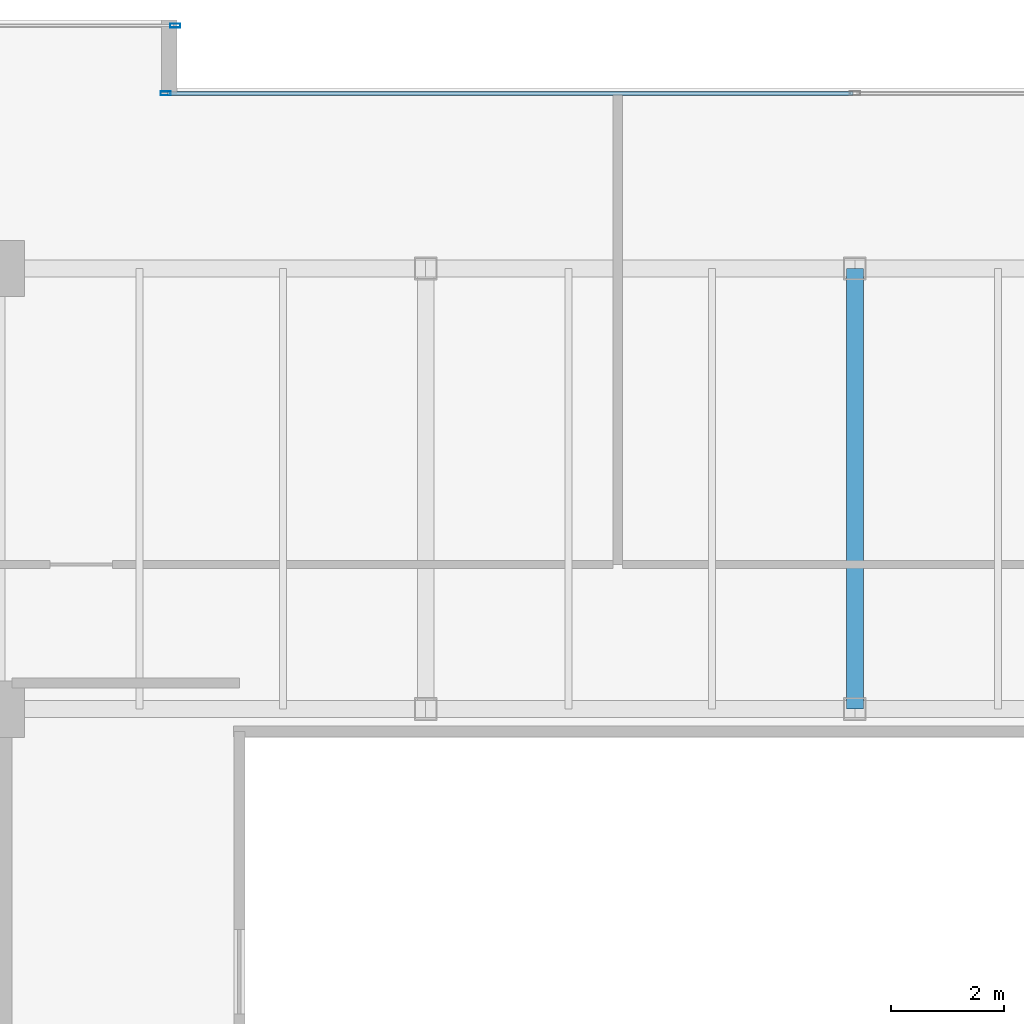
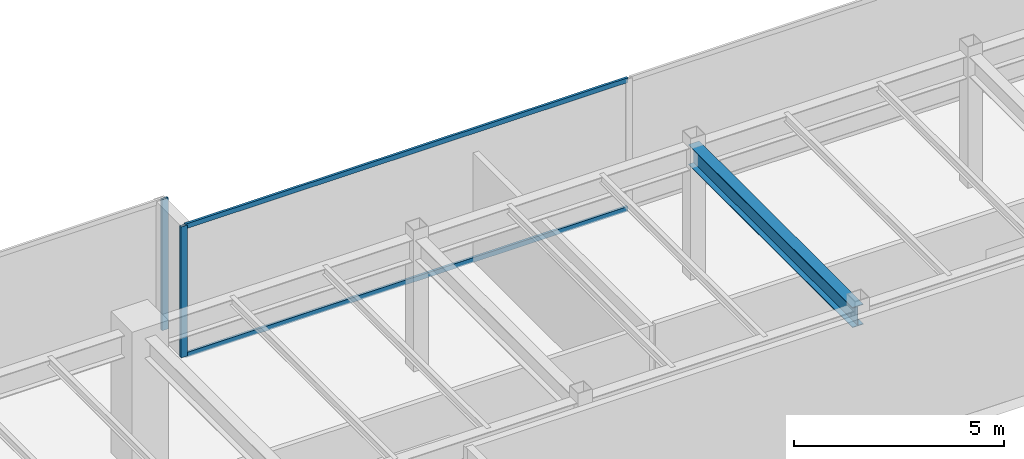
# One storey, part 17 of 33: 4 members, 1 beam, 2 elements without a shape of their own.
"""IFC4 building model written with IfcOpenShell, lengths in metres."""

from ifc_helpers import new_model, si_unit, direction, frame, origin, origin_2d, place, context, subcontext, project, spatial, hollow_rectangle, i_section, extrude, source, transform, mapped, material, layer, layer_set, material_profile, profile_set, type_object, type_shapes, element, aggregate, save


model = new_model("IFC4")

# Units and contexts
model_context = context("Model", 3, precision=1e-05, world=origin(), true_north=direction((0.0, 1.0)))
body_context = subcontext(model_context, "Body", "Model", "MODEL_VIEW")
ifc_project = project(units=[si_unit("LENGTHUNIT", "METRE"), si_unit("AREAUNIT", "SQUARE_METRE"), si_unit("VOLUMEUNIT", "CUBIC_METRE"), si_unit("PLANEANGLEUNIT", "RADIAN"), si_unit("MASSUNIT", "GRAM", prefix="KILO")], contexts=[model_context])

# Site, building, storey
site_placement = place(None, origin())
site = spatial("IfcSite", under=ifc_project, at=site_placement, CompositionType="ELEMENT")
building_placement = place(site_placement, origin())
building = spatial("IfcBuilding", under=site, at=building_placement, Name="Haelvirn Gate Laboratories", CompositionType="ELEMENT")
storey_placement = place(building_placement, frame((0.0, 0.0, 250.60009765625)))
storey = spatial("IfcBuildingStorey", under=building, at=storey_placement, Name="L60", CompositionType="ELEMENT", Elevation=250.60009765625)

# Beam
ifc_material_1 = material(Name="Steel SM355", Category="steel")
ifc_material_profile_1 = material_profile(ifc_material_1, i_section(OverallWidth=0.300048828125, OverallDepth=0.587890625, WebThickness=0.011962890625, FlangeThickness=0.02001953125, at=origin_2d()), Name="H-588x300x12x20")
ifc_profile_set_1 = profile_set([ifc_material_profile_1], Name="Steel SM355")
beam_type = type_object("IfcBeamType", Name="BM-G-588", PredefinedType="BEAM", material=ifc_profile_set_1)
shared_shape_1 = source(origin(), body_context, "Body", "SweptSolid", [
    extrude(i_section(OverallWidth=0.300048828125, OverallDepth=0.587890625, WebThickness=0.011962890625, FlangeThickness=0.02001953125, at=origin_2d()), origin(), (0.0, 0.0, 1.0), 7.800048828125),
])
type_shapes(beam_type, [shared_shape_1])
beam_placement = place(storey_placement, frame((37.39990234375, 33.800048828125, 3.505859375), z_axis=(0.0, 1.0, 0.0), x_axis=(-1.0, 0.0, 0.0)))
element("IfcBeam", 1, at=beam_placement, inside=storey, type_object=beam_type, Name="L60 Frame Girder X37.4 (33.8-41.6)", PredefinedType="BEAM", context=body_context, shape_type="MappedRepresentation", body=[
    mapped(shared_shape_1, transform((0.0, 0.0, 0.0), scale=1.0)),
])

# Curtain wall, members
ifc_material_2 = material(Name="Anodised bronze unitised aluminium & triple low-E glass", Category="aluminium")
ifc_layer = layer(ifc_material_2, 0.176025390625, Name="CW-SYS-4")
ifc_layer_set = layer_set([ifc_layer], Name="Anodised bronze unitised aluminium & triple low-E glass")
curtain_wall_type = type_object("IfcCurtainWallType", Name="CW-SYS-4", PredefinedType="NOTDEFINED", material=ifc_layer_set)
curtain_wall_1_placement = place(storey_placement, origin())
curtain_wall_1 = element("IfcCurtainWall", 2, at=curtain_wall_1_placement, inside=storey, type_object=curtain_wall_type, Name="L60 Unitised Curtain Wall CW-L60-P0-E12-1", PredefinedType="NOTDEFINED")
ifc_material_3 = material(Name="Extruded aluminium 6063-T6 (anodised bronze)", Category="aluminium")
ifc_material_profile_2 = material_profile(ifc_material_3, hollow_rectangle(XDim=0.06494140625, YDim=0.139892578125, WallThickness=0.00390625, at=origin_2d()), Name="CWT-140x65x4")
ifc_profile_set_2 = profile_set([ifc_material_profile_2], Name="Extruded aluminium 6063-T6 (anodised bronze)")
member_type_1 = type_object("IfcMemberType", Name="CWT-T140", PredefinedType="USERDEFINED", material=ifc_profile_set_2)
shared_shape_2 = source(origin(), body_context, "Body", "SweptSolid", [
    extrude(hollow_rectangle(XDim=0.06494140625, YDim=0.139892578125, WallThickness=0.00390625, at=origin_2d()), origin(), (0.0, 0.0, 1.0), 12.135009765625),
])
type_shapes(member_type_1, [shared_shape_2])
member_1_placement = place(storey_placement, frame((25.22998046875, 44.699951171875, 0.032470703125), z_axis=(1.0, 0.0, 0.0), x_axis=(0.0, 1.0, 0.0)))
member_1 = element("IfcMember", 3, at=member_1_placement, type_object=member_type_1, Name="CW4 transom 1.1", ObjectType="TRANSOM", PredefinedType="USERDEFINED", context=body_context, shape_type="MappedRepresentation", body=[
    mapped(shared_shape_2, transform((0.0, 0.0, 0.0), scale=1.0)),
])
member_2_placement = place(storey_placement, frame((25.22998046875, 44.699951171875, 3.767333984375), z_axis=(1.0, 0.0, 0.0), x_axis=(0.0, 1.0, 0.0)))
member_2 = element("IfcMember", 4, at=member_2_placement, type_object=member_type_1, Name="CW4 transom 1.2", ObjectType="TRANSOM", PredefinedType="USERDEFINED", context=body_context, shape_type="MappedRepresentation", body=[
    mapped(shared_shape_2, transform((0.0, 0.0, 0.0), scale=1.0)),
])
ifc_material_profile_3 = material_profile(ifc_material_3, hollow_rectangle(XDim=0.070068359375, YDim=0.179931640625, WallThickness=0.0048828125, at=origin_2d()), Name="CWM-180x70x5")
ifc_profile_set_3 = profile_set([ifc_material_profile_3], Name="Extruded aluminium 6063-T6 (anodised bronze)")
member_type_2 = type_object("IfcMemberType", Name="CWM-T180", PredefinedType="MULLION", material=ifc_profile_set_3)
shared_shape_3 = source(origin(), body_context, "Body", "SweptSolid", [
    extrude(hollow_rectangle(XDim=0.070068359375, YDim=0.179931640625, WallThickness=0.0048828125, at=origin_2d()), origin(), (0.0, 0.0, 1.0), 3.7998046875),
])
type_shapes(member_type_2, [shared_shape_3])
member_3_placement = place(storey_placement, frame((25.195068359375, 44.699951171875, 0.0), z_axis=(0.0, 0.0, 1.0), x_axis=(0.0, 1.0, 0.0)))
member_3 = element("IfcMember", 5, at=member_3_placement, type_object=member_type_2, Name="CW4 mullion 1", PredefinedType="MULLION", context=body_context, shape_type="MappedRepresentation", body=[
    mapped(shared_shape_3, transform((0.0, 0.0, 0.0), scale=1.0)),
])
aggregate(curtain_wall_1, [member_3, member_1, member_2])

# Curtain wall, member
curtain_wall_2_placement = place(storey_placement, origin())
curtain_wall_2 = element("IfcCurtainWall", 6, at=curtain_wall_2_placement, inside=storey, type_object=curtain_wall_type, Name="L60 Unitised Curtain Wall CW-L60-P0-E14-1", PredefinedType="NOTDEFINED")
member_4_placement = place(storey_placement, frame((25.364990234375, 45.89990234375, 0.0), z_axis=(0.0, 0.0, 1.0), x_axis=(0.0, 1.0, 0.0)))
member_4 = element("IfcMember", 7, at=member_4_placement, type_object=member_type_2, Name="CW4 mullion 3", PredefinedType="MULLION", context=body_context, shape_type="MappedRepresentation", body=[
    mapped(shared_shape_3, transform((0.0, 0.0, 0.0), scale=1.0)),
])
aggregate(curtain_wall_2, [member_4])

save(model, "model.ifc")
